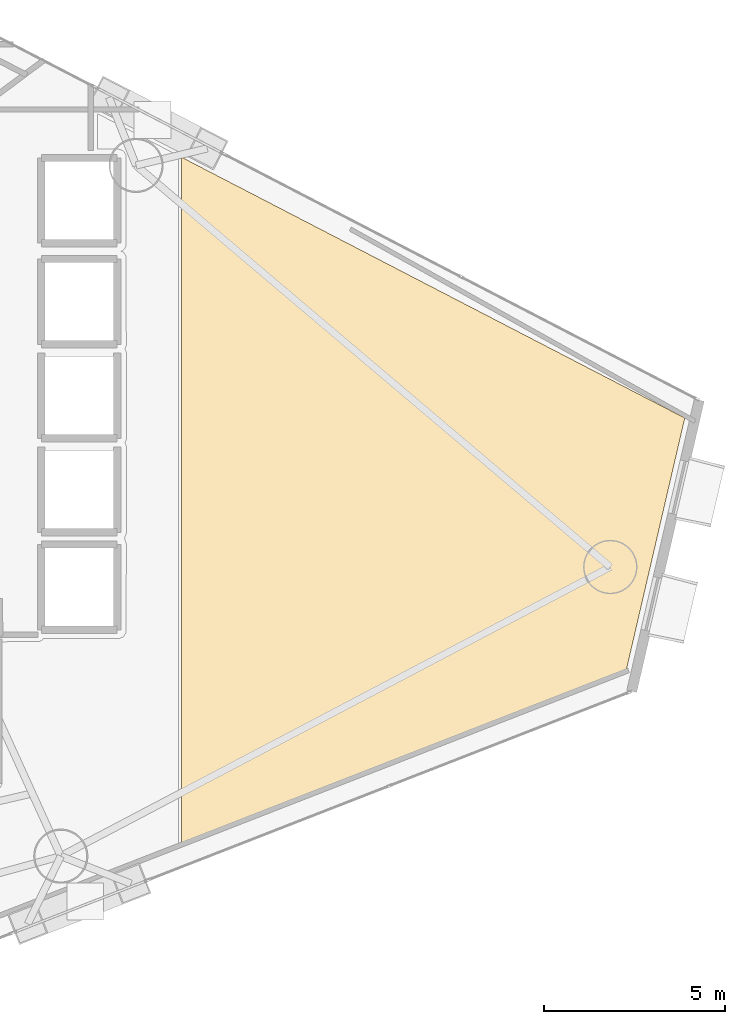
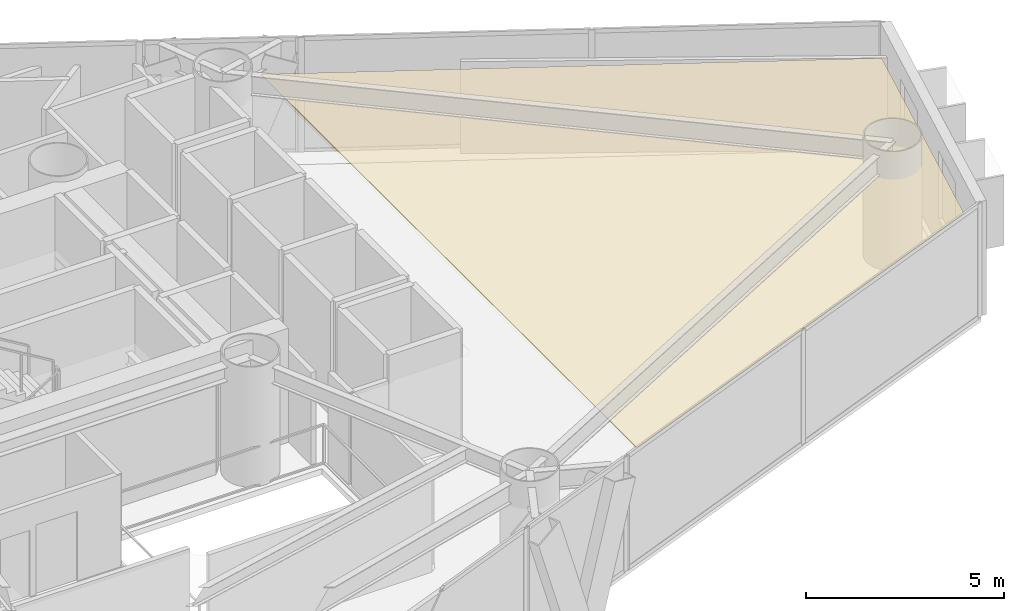
# One storey, part 21 of 21: 1 covering.
"""IFC4 building model written with IfcOpenShell, lengths in metres."""

from ifc_helpers import new_model, si_unit, direction, frame, origin, place, context, subcontext, project, spatial, polyline, outline, extrude, material, layer, layer_set, type_object, element, save


model = new_model("IFC4")

# Units and contexts
model_context = context("Model", 3, precision=1e-05, world=origin(), true_north=direction((0.0, 1.0)))
body_context = subcontext(model_context, "Body", "Model", "MODEL_VIEW")
ifc_project = project(units=[si_unit("LENGTHUNIT", "METRE"), si_unit("AREAUNIT", "SQUARE_METRE"), si_unit("VOLUMEUNIT", "CUBIC_METRE"), si_unit("PLANEANGLEUNIT", "RADIAN"), si_unit("MASSUNIT", "GRAM", prefix="KILO")], contexts=[model_context])

# Site, building, storey
site_placement = place(None, origin())
site = spatial("IfcSite", under=ifc_project, at=site_placement, CompositionType="ELEMENT")
building_placement = place(site_placement, origin())
building = spatial("IfcBuilding", under=site, at=building_placement, Name="Qianvela Tower", CompositionType="ELEMENT")
storey_placement = place(building_placement, frame((0.0, 0.0, 131.10009765625)))
storey = spatial("IfcBuildingStorey", under=building, at=storey_placement, Name="L33", CompositionType="ELEMENT", Elevation=131.10009765625)

# Covering
ifc_material = material(Name="Perforated Mineral Acoustic Ceiling Tile")
ifc_layer = layer(ifc_material, 0.02490234375)
ifc_layer_set = layer_set([ifc_layer], Name="Perforated Mineral Acoustic Ceiling Tile")
covering_type = type_object("IfcCoveringType", Name="COV-CEIL-ACOUSTIC-25", PredefinedType="CEILING", material=ifc_layer_set)
covering_placement = place(storey_placement, frame((0.0, 0.0, 2.81494140625)))
element("IfcCovering", 1, at=covering_placement, inside=storey, type_object=covering_type, Name="L33 Acoustic Ceiling Bay 2 Panoramic Study Lounge L33-02", PredefinedType="CEILING", context=body_context, shape_type="SweptSolid", body=[
    extrude(outline(polyline([(59.255126953125, 28.0810546875), (57.642578125, 21.131103515625), (45.323486328125, 16.32470703125), (45.323486328125, 35.300537109375), (59.255126953125, 28.0810546875)])), origin(), (0.0, 0.0, 1.0), 0.02490234375),
])

save(model, "model.ifc")
